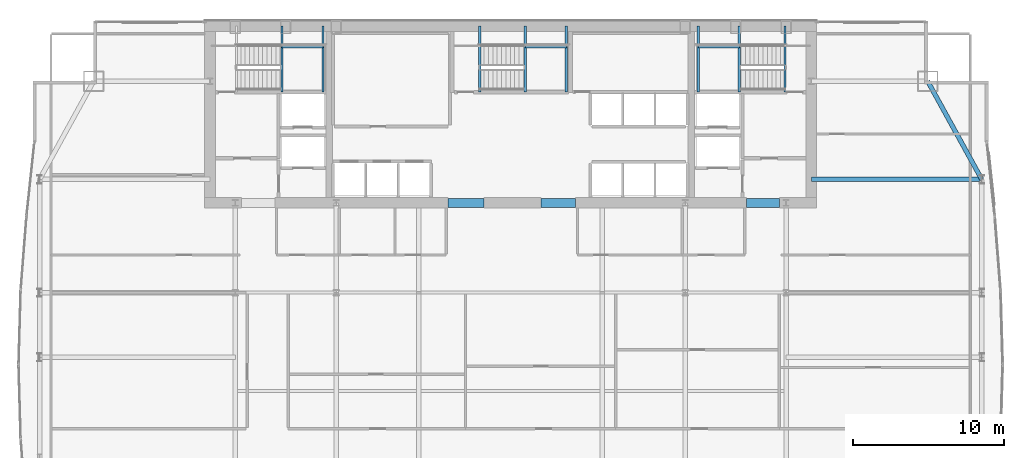
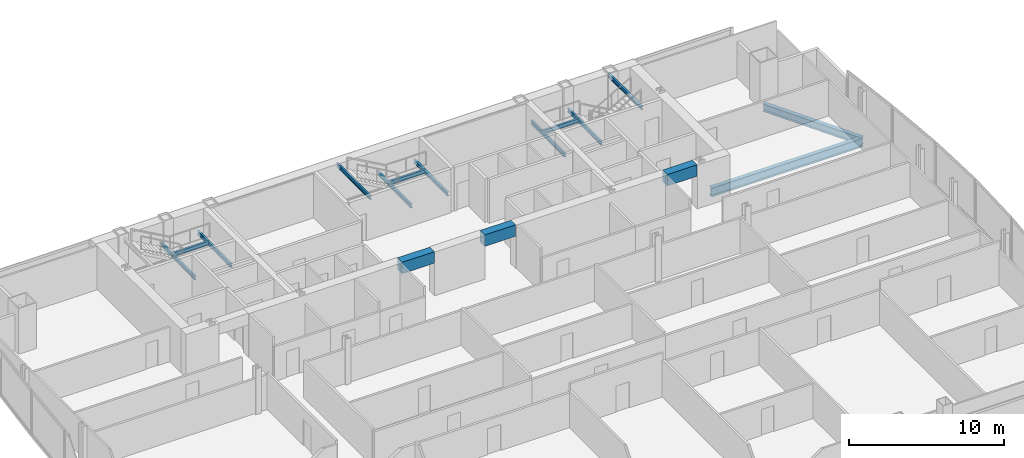
# One storey, part 19 of 29: 16 beams.
"""IFC4 building model written with IfcOpenShell, lengths in metres."""

from ifc_helpers import new_model, si_unit, direction, frame, origin, origin_2d, place, context, subcontext, project, spatial, rectangle, i_section, extrude, material, material_profile, profile_set, type_object, element, save


model = new_model("IFC4")

# Units and contexts
model_context = context("Model", 3, precision=1e-05, world=origin(), true_north=direction((0.0, 1.0)))
body_context = subcontext(model_context, "Body", "Model", "MODEL_VIEW")
ifc_project = project(units=[si_unit("LENGTHUNIT", "METRE"), si_unit("AREAUNIT", "SQUARE_METRE"), si_unit("VOLUMEUNIT", "CUBIC_METRE"), si_unit("PLANEANGLEUNIT", "RADIAN"), si_unit("MASSUNIT", "GRAM", prefix="KILO")], contexts=[model_context])

# Site, building, storey
site_placement = place(None, origin())
site = spatial("IfcSite", under=ifc_project, at=site_placement, CompositionType="ELEMENT")
building_placement = place(site_placement, origin())
building = spatial("IfcBuilding", under=site, at=building_placement, Name="Khoronbel Lancet Exchange", CompositionType="ELEMENT")
storey_placement = place(building_placement, frame((0.0, 0.0, 139.800048828125)))
storey = spatial("IfcBuildingStorey", under=building, at=storey_placement, Name="L34", CompositionType="ELEMENT", Elevation=139.800048828125)

# Beams
ifc_material_1 = material(Name="Steel S355", Category="steel")
ifc_material_profile_1 = material_profile(ifc_material_1, i_section(OverallWidth=0.300048828125, OverallDepth=0.699951171875, WebThickness=0.01708984375, FlangeThickness=0.031982421875, at=origin_2d()), Name="HEB 700")
ifc_profile_set_1 = profile_set([ifc_material_profile_1], Name="Steel S355")
beam_type_1 = type_object("IfcBeamType", Name="BM-BG3", PredefinedType="BEAM", material=ifc_profile_set_1)
beam_1_placement = place(storey_placement, frame((56.35009765625, 43.199951171875, -0.510009765625), z_axis=(1.0, 0.0, 0.0), x_axis=(0.0, 1.0, 0.0)))
element("IfcBeam", 1, at=beam_1_placement, inside=storey, type_object=beam_type_1, Name="Level L34 east lens tie girder LG3E", PredefinedType="BEAM", context=body_context, shape_type="SweptSolid", body=[
    extrude(i_section(OverallWidth=0.300048828125, OverallDepth=0.699951171875, WebThickness=0.01708984375, FlangeThickness=0.031982421875, at=origin_2d()), origin(), (0.0, 0.0, 1.0), 11.27978515625),
])
ifc_material_profile_2 = material_profile(ifc_material_1, i_section(OverallWidth=0.14990234375, OverallDepth=0.300048828125, WebThickness=0.007080078125, FlangeThickness=0.0107421875, at=origin_2d()), Name="IPE 300")
ifc_profile_set_2 = profile_set([ifc_material_profile_2], Name="Steel S355")
beam_type_2 = type_object("IfcBeamType", Name="BM-BJ8", PredefinedType="JOIST", material=ifc_profile_set_2)
for number, where, z_axis, x_axis, name in (
    (2, (21.320068359375, 48.97998046875, 1.449951171875), (0.0, 1.0, 0.0), (-1.0, 0.0, 0.0), "Level L34 stair ST1 landing bearer beam 1"),
    (3, (24.030029296875, 48.97998046875, 1.449951171875), (0.0, 1.0, 0.0), (-1.0, 0.0, 0.0), "Level L34 stair ST1 rear landing bearer beam 1"),
):
    element("IfcBeam", number, at=place(storey_placement, frame(where, z_axis=z_axis, x_axis=x_axis)), inside=storey, type_object=beam_type_2, Name=name, PredefinedType="JOIST", context=body_context, shape_type="SweptSolid", body=[
        extrude(i_section(OverallWidth=0.14990234375, OverallDepth=0.300048828125, WebThickness=0.007080078125, FlangeThickness=0.0107421875, at=origin_2d()), origin(), (0.0, 0.0, 1.0), 4.3701171875),
    ])
beam_2_placement = place(storey_placement, frame((21.320068359375, 51.97998046875, 1.449951171875), z_axis=(1.0, 0.0, 0.0), x_axis=(0.0, 1.0, 0.0)))
element("IfcBeam", 4, at=beam_2_placement, inside=storey, type_object=beam_type_2, Name="Level L34 stair ST1 landing cross trimmer beam 1", PredefinedType="JOIST", context=body_context, shape_type="SweptSolid", body=[
    extrude(i_section(OverallWidth=0.14990234375, OverallDepth=0.300048828125, WebThickness=0.007080078125, FlangeThickness=0.0107421875, at=origin_2d()), origin(), (0.0, 0.0, 1.0), 2.7099609375),
])
for number, where, z_axis, x_axis, name in (
    (5, (51.580078125, 48.97998046875, 1.449951171875), (0.0, 1.0, 0.0), (-1.0, 0.0, 0.0), "Level L34 stair ST2 landing bearer beam 1"),
    (6, (48.8701171875, 48.97998046875, 1.449951171875), (0.0, 1.0, 0.0), (-1.0, 0.0, 0.0), "Level L34 stair ST2 rear landing bearer beam 1"),
):
    element("IfcBeam", number, at=place(storey_placement, frame(where, z_axis=z_axis, x_axis=x_axis)), inside=storey, type_object=beam_type_2, Name=name, PredefinedType="JOIST", context=body_context, shape_type="SweptSolid", body=[
        extrude(i_section(OverallWidth=0.14990234375, OverallDepth=0.300048828125, WebThickness=0.007080078125, FlangeThickness=0.0107421875, at=origin_2d()), origin(), (0.0, 0.0, 1.0), 4.3701171875),
    ])
beam_3_placement = place(storey_placement, frame((48.8701171875, 51.97998046875, 1.449951171875), z_axis=(1.0, 0.0, 0.0), x_axis=(0.0, 1.0, 0.0)))
element("IfcBeam", 7, at=beam_3_placement, inside=storey, type_object=beam_type_2, Name="Level L34 stair ST2 landing cross trimmer beam 1", PredefinedType="JOIST", context=body_context, shape_type="SweptSolid", body=[
    extrude(i_section(OverallWidth=0.14990234375, OverallDepth=0.300048828125, WebThickness=0.007080078125, FlangeThickness=0.0107421875, at=origin_2d()), origin(), (0.0, 0.0, 1.0), 2.7099609375),
])
for number, where, z_axis, x_axis, name in (
    (8, (54.60009765625, 48.97998046875, 3.159912109375), (0.0, 1.0, 0.0), (-1.0, 0.0, 0.0), "Level L34 stair ST2 upper-flight arrival trimmer beam"),
    (9, (37.419921875, 48.97998046875, 1.449951171875), (0.0, 1.0, 0.0), (-1.0, 0.0, 0.0), "Level L34 stair ST3 landing bearer beam 1"),
    (10, (40.1298828125, 48.97998046875, 1.449951171875), (0.0, 1.0, 0.0), (-1.0, 0.0, 0.0), "Level L34 stair ST3 rear landing bearer beam 1"),
):
    element("IfcBeam", number, at=place(storey_placement, frame(where, z_axis=z_axis, x_axis=x_axis)), inside=storey, type_object=beam_type_2, Name=name, PredefinedType="JOIST", context=body_context, shape_type="SweptSolid", body=[
        extrude(i_section(OverallWidth=0.14990234375, OverallDepth=0.300048828125, WebThickness=0.007080078125, FlangeThickness=0.0107421875, at=origin_2d()), origin(), (0.0, 0.0, 1.0), 4.3701171875),
    ])
beam_4_placement = place(storey_placement, frame((37.419921875, 51.97998046875, 1.449951171875), z_axis=(1.0, 0.0, 0.0), x_axis=(0.0, 1.0, 0.0)))
element("IfcBeam", 11, at=beam_4_placement, inside=storey, type_object=beam_type_2, Name="Level L34 stair ST3 landing cross trimmer beam 1", PredefinedType="JOIST", context=body_context, shape_type="SweptSolid", body=[
    extrude(i_section(OverallWidth=0.14990234375, OverallDepth=0.300048828125, WebThickness=0.007080078125, FlangeThickness=0.0107421875, at=origin_2d()), origin(), (0.0, 0.0, 1.0), 2.7099609375),
])
beam_5_placement = place(storey_placement, frame((34.39990234375, 48.97998046875, 3.159912109375), z_axis=(0.0, 1.0, 0.0), x_axis=(-1.0, 0.0, 0.0)))
element("IfcBeam", 12, at=beam_5_placement, inside=storey, type_object=beam_type_2, Name="Level L34 stair ST3 upper-flight arrival trimmer beam", PredefinedType="JOIST", context=body_context, shape_type="SweptSolid", body=[
    extrude(i_section(OverallWidth=0.14990234375, OverallDepth=0.300048828125, WebThickness=0.007080078125, FlangeThickness=0.0107421875, at=origin_2d()), origin(), (0.0, 0.0, 1.0), 4.3701171875),
])
ifc_material_2 = material(Name="Concrete C80/95", Category="concrete")
ifc_material_profile_3 = material_profile(ifc_material_2, rectangle(XDim=0.60009765625, YDim=0.89990234375, at=origin_2d()), Name="RC 600x900")
ifc_profile_set_3 = profile_set([ifc_material_profile_3], Name="Concrete C80/95")
beam_type_3 = type_object("IfcBeamType", Name="BM-BL1", PredefinedType="LINTEL", material=ifc_profile_set_3)
beam_6_placement = place(storey_placement, frame((32.300048828125, 41.64990234375, 2.989990234375), z_axis=(1.0, 0.0, 0.0), x_axis=(0.0, 1.0, 0.0)))
element("IfcBeam", 13, at=beam_6_placement, inside=storey, type_object=beam_type_3, Name="Level L34 rear core coupling lintel L2", PredefinedType="LINTEL", context=body_context, shape_type="SweptSolid", body=[
    extrude(rectangle(XDim=0.60009765625, YDim=0.89990234375, at=origin_2d()), origin(), (0.0, 0.0, 1.0), 2.39990234375),
])
beam_7_placement = place(storey_placement, frame((38.449951171875, 41.64990234375, 2.989990234375), z_axis=(1.0, 0.0, 0.0), x_axis=(0.0, 1.0, 0.0)))
element("IfcBeam", 14, at=beam_7_placement, inside=storey, type_object=beam_type_3, Name="Level L34 rear core coupling lintel L3", PredefinedType="LINTEL", context=body_context, shape_type="SweptSolid", body=[
    extrude(rectangle(XDim=0.60009765625, YDim=0.89990234375, at=origin_2d()), origin(), (0.0, 0.0, 1.0), 2.300048828125),
])
beam_8_placement = place(storey_placement, frame((52.050048828125, 41.64990234375, 2.989990234375), z_axis=(1.0, 0.0, 0.0), x_axis=(0.0, 1.0, 0.0)))
element("IfcBeam", 15, at=beam_8_placement, inside=storey, type_object=beam_type_3, Name="Level L34 rear core coupling lintel L4", PredefinedType="LINTEL", context=body_context, shape_type="SweptSolid", body=[
    extrude(rectangle(XDim=0.60009765625, YDim=0.89990234375, at=origin_2d()), origin(), (0.0, 0.0, 1.0), 2.199951171875),
])
ifc_material_profile_4 = material_profile(ifc_material_1, i_section(OverallWidth=0.300048828125, OverallDepth=0.60009765625, WebThickness=0.015380859375, FlangeThickness=0.030029296875, at=origin_2d()), Name="HEB 600")
ifc_profile_set_4 = profile_set([ifc_material_profile_4], Name="Steel S355")
beam_type_4 = type_object("IfcBeamType", Name="BM-BSP2", PredefinedType="SPANDREL", material=ifc_profile_set_4)
beam_9_placement = place(storey_placement, frame((67.6298828125, 43.199951171875, -0.4599609375), z_axis=(-0.482418808117, 0.875940690672, 0.0), x_axis=(-0.875940690672, -0.482418808117, 0.0)))
element("IfcBeam", 16, at=beam_9_placement, inside=storey, type_object=beam_type_4, Name="Level L34 perimeter spandrel beam SP15", PredefinedType="SPANDREL", context=body_context, shape_type="SweptSolid", body=[
    extrude(i_section(OverallWidth=0.300048828125, OverallDepth=0.60009765625, WebThickness=0.015380859375, FlangeThickness=0.030029296875, at=origin_2d()), origin(), (0.0, 0.0, 1.0), 7.420654296875),
])

save(model, "model.ifc")
